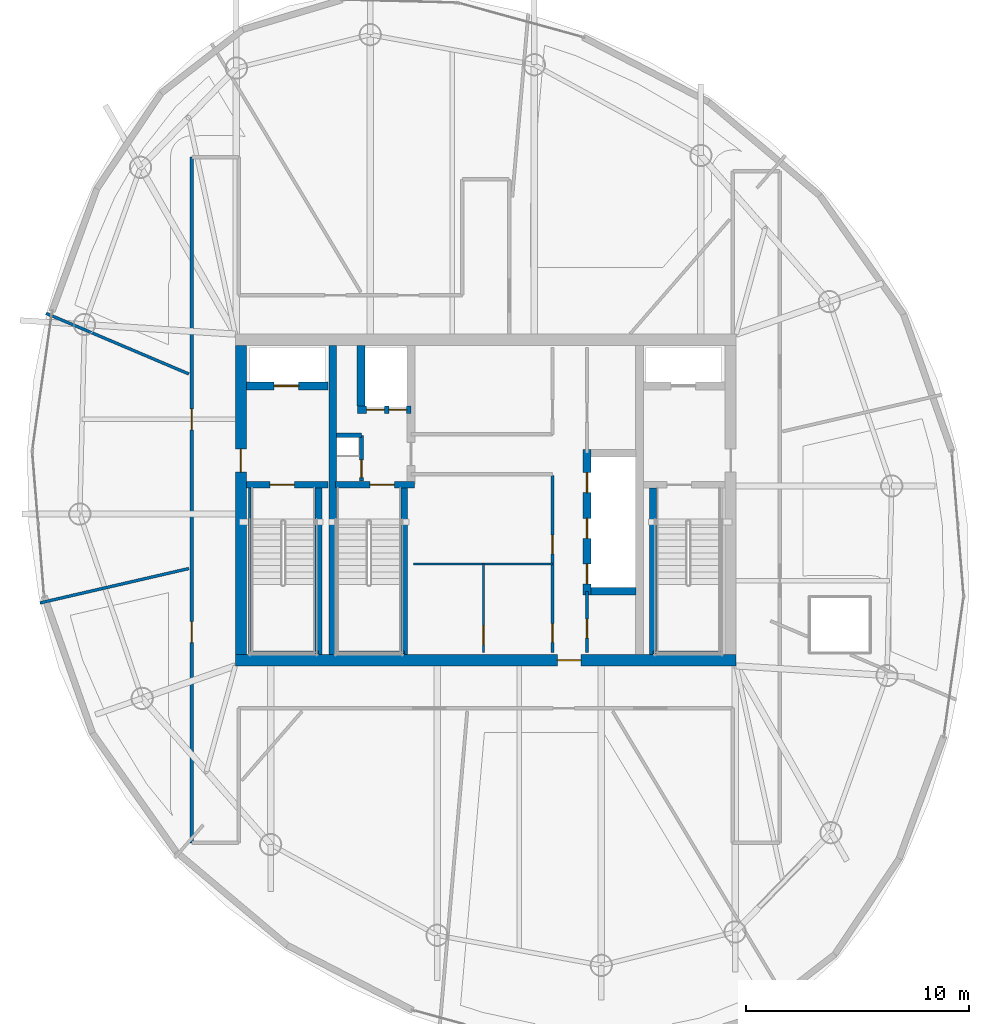
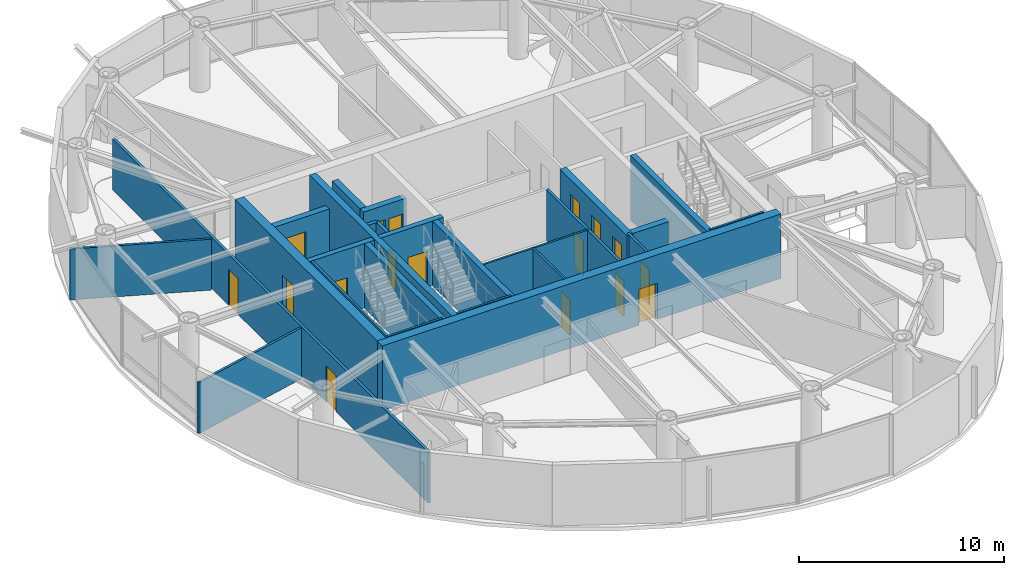
# One storey, part 15 of 20: 26 walls, 17 doors, 17 openings.
"""IFC4 building model written with IfcOpenShell, lengths in metres."""

from ifc_helpers import new_model, si_unit, direction, frame, frame_2d, origin, place, context, subcontext, project, spatial, rectangle, extrude, material, layer, layer_set, type_object, element, fill, save


model = new_model("IFC4")

# Units and contexts
model_context = context("Model", 3, precision=1e-05, world=origin(), true_north=direction((0.0, 1.0)))
body_context = subcontext(model_context, "Body", "Model", "MODEL_VIEW")
ifc_project = project(units=[si_unit("LENGTHUNIT", "METRE"), si_unit("AREAUNIT", "SQUARE_METRE"), si_unit("VOLUMEUNIT", "CUBIC_METRE"), si_unit("PLANEANGLEUNIT", "RADIAN"), si_unit("MASSUNIT", "GRAM", prefix="KILO")], contexts=[model_context])

# Site, building, storey
site_placement = place(None, origin())
site = spatial("IfcSite", under=ifc_project, at=site_placement, CompositionType="ELEMENT")
building_placement = place(site_placement, origin())
building = spatial("IfcBuilding", under=site, at=building_placement, Name="Bramvorn Convention Spire", CompositionType="ELEMENT")
storey_placement = place(building_placement, frame((0.0, 0.0, 284.39990234375)))
storey = spatial("IfcBuildingStorey", under=building, at=storey_placement, Name="L72", CompositionType="ELEMENT", Elevation=284.39990234375)

# Wall, opening, door
ifc_material_1 = material(Name="Concrete C50/60", Category="concrete")
ifc_layer_1 = layer(ifc_material_1, 0.5)
ifc_layer_set_1 = layer_set([ifc_layer_1], Name="Concrete C50/60 - WL-CORE-500")
wall_type_1 = type_object("IfcWallType", Name="WL-CORE-500", PredefinedType="SHEAR", material=ifc_layer_set_1)
wall_1_placement = place(storey_placement, frame((26.75, 18.800048828125, 0.0), z_axis=(0.0, 0.0, 1.0), x_axis=(1.0, 0.0, 0.0)))
wall_1 = element("IfcWall", 1, at=wall_1_placement, inside=storey, type_object=wall_type_1, Name="L72 South RC core shear wall", PredefinedType="SHEAR", context=body_context, shape_type="SweptSolid", body=[
    extrude(rectangle(XDim=22.5, YDim=0.5, at=frame_2d((11.25, 0.0))), origin(), (0.0, 0.0, 1.0), 3.85009765625),
])
opening_1_placement = place(wall_1_placement, frame((14.469970703125, 0.0, 0.0)))
opening_1 = element("IfcOpeningElement", 2, at=opening_1_placement, cuts=wall_1, Name="Opening DL-105", PredefinedType="OPENING", context=body_context, shape_type="SweptSolid", body=[
    extrude(rectangle(XDim=1.050048828125, YDim=2.14990234375, at=frame_2d((0.52490234375, 1.074951171875))), frame((0.0, 0.260009765625, 0.0), z_axis=(0.0, -1.0, 0.0), x_axis=(1.0, 0.0, 0.0)), (0.0, 0.0, 1.0), 0.52001953125),
])
ifc_material_2 = material(Name="Smoke-Sealed Fire Lobby Timber-Core Door", Category="wood")
door_type_1 = type_object("IfcDoorType", Name="DR-LOBBY-1050", OperationType="NOTDEFINED", PredefinedType="DOOR", material=ifc_material_2)
door_1_placement = place(opening_1_placement, origin())
door_1 = element("IfcDoor", 3, at=door_1_placement, inside=storey, type_object=door_type_1, Name="L72 South Lift Lobby fire door", OperationType="SINGLE_SWING_RIGHT", OverallHeight=2.14990234375, OverallWidth=1.050048828125, PredefinedType="DOOR", context=body_context, shape_type="SweptSolid", body=[
    extrude(rectangle(XDim=1.050048828125, YDim=2.14990234375, at=frame_2d((0.52490234375, 1.074951171875))), frame((0.0, 0.02490234375, 0.0), z_axis=(0.0, -1.0, 0.0), x_axis=(1.0, 0.0, 0.0)), (0.0, 0.0, 1.0), 0.050048828125),
])
fill(opening_1, door_1)

wall_2_placement = place(storey_placement, frame((27.0, 19.050048828125, 0.0), z_axis=(0.0, 0.0, 1.0), x_axis=(0.0, 1.0, 0.0)))
wall_2 = element("IfcWall", 4, at=wall_2_placement, inside=storey, type_object=wall_type_1, Name="L72 West RC core shear wall", PredefinedType="SHEAR", context=body_context, shape_type="SweptSolid", body=[
    extrude(rectangle(XDim=13.89990234375, YDim=0.5, at=frame_2d((6.949951171875, 0.0))), origin(), (0.0, 0.0, 1.0), 3.85009765625),
])
opening_2_placement = place(wall_2_placement, frame((8.199951171875, 0.0, 0.0)))
opening_2 = element("IfcOpeningElement", 5, at=opening_2_placement, cuts=wall_2, Name="Opening DL-105", PredefinedType="OPENING", context=body_context, shape_type="SweptSolid", body=[
    extrude(rectangle(XDim=1.050048828125, YDim=2.14990234375, at=frame_2d((0.52490234375, 1.074951171875))), frame((0.0, 0.260009765625, 0.0), z_axis=(0.0, -1.0, 0.0), x_axis=(1.0, 0.0, 0.0)), (0.0, 0.0, 1.0), 0.52001953125),
])
door_2_placement = place(opening_2_placement, origin())
door_2 = element("IfcDoor", 6, at=door_2_placement, inside=storey, type_object=door_type_1, Name="L72 West Firefighting Lobby corridor door", OperationType="SINGLE_SWING_RIGHT", OverallHeight=2.14990234375, OverallWidth=1.050048828125, PredefinedType="DOOR", context=body_context, shape_type="SweptSolid", body=[
    extrude(rectangle(XDim=1.050048828125, YDim=2.14990234375, at=frame_2d((0.52490234375, 1.074951171875))), frame((0.0, 0.02490234375, 0.0), z_axis=(0.0, -1.0, 0.0), x_axis=(1.0, 0.0, 0.0)), (0.0, 0.0, 1.0), 0.050048828125),
])
fill(opening_2, door_2)

# Wall
ifc_layer_2 = layer(ifc_material_1, 0.35009765625)
ifc_layer_set_2 = layer_set([ifc_layer_2], Name="Concrete C50/60 - WL-CORE-INT-350")
wall_type_2 = type_object("IfcWallType", Name="WL-CORE-INT-350", PredefinedType="SHEAR", material=ifc_layer_set_2)
wall_3_placement = place(storey_placement, frame((31.1298828125, 19.050048828125, 0.0), z_axis=(0.0, 0.0, 1.0), x_axis=(0.0, 1.0, 0.0)))
element("IfcWall", 7, at=wall_3_placement, inside=storey, type_object=wall_type_2, Name="L72 West internal core shear web", PredefinedType="SHEAR", context=body_context, shape_type="SweptSolid", body=[
    extrude(rectangle(XDim=13.89990234375, YDim=0.35009765625, at=frame_2d((6.949951171875, 0.0))), origin(), (0.0, 0.0, 1.0), 3.85009765625),
])

# Wall, opening, door
wall_4_placement = place(storey_placement, frame((27.25, 31.1201171875, 0.0), z_axis=(0.0, 0.0, 1.0), x_axis=(1.0, 0.0, 0.0)))
wall_4 = element("IfcWall", 8, at=wall_4_placement, inside=storey, type_object=wall_type_2, Name="L72 FE1 shaft front wall", PredefinedType="SHEAR", context=body_context, shape_type="SweptSolid", body=[
    extrude(rectangle(XDim=3.669921875, YDim=0.35009765625, at=frame_2d((1.8349609375, 0.0))), origin(), (0.0, 0.0, 1.0), 3.0400390625),
])
opening_3_placement = place(wall_4_placement, frame((1.25, 0.0, 0.0)))
opening_3 = element("IfcOpeningElement", 9, at=opening_3_placement, cuts=wall_4, Name="Opening LD-110", PredefinedType="OPENING", context=body_context, shape_type="SweptSolid", body=[
    extrude(rectangle(XDim=1.10009765625, YDim=2.14990234375, at=frame_2d((0.550048828125, 1.074951171875))), frame((0.0, 0.18505859375, 0.0), z_axis=(0.0, -1.0, 0.0), x_axis=(1.0, 0.0, 0.0)), (0.0, 0.0, 1.0), 0.3701171875),
])
ifc_material_3 = material(Name="Firefighting & Service Lift Sliding Landing Door", Category="steel")
door_type_2 = type_object("IfcDoorType", Name="DR-LIFT-LD-1100", OperationType="NOTDEFINED", PredefinedType="DOOR", material=ifc_material_3)
door_3_placement = place(opening_3_placement, origin())
door_3 = element("IfcDoor", 10, at=door_3_placement, inside=storey, type_object=door_type_2, Name="L72 Lift FE1 Sliding Landing Door", OperationType="SLIDING_TO_LEFT", OverallHeight=2.14990234375, OverallWidth=1.10009765625, PredefinedType="DOOR", context=body_context, shape_type="SweptSolid", body=[
    extrude(rectangle(XDim=1.10009765625, YDim=2.14990234375, at=frame_2d((0.550048828125, 1.074951171875))), frame((0.0, 0.02490234375, 0.0), z_axis=(0.0, -1.0, 0.0), x_axis=(1.0, 0.0, 0.0)), (0.0, 0.0, 1.0), 0.050048828125),
])
fill(opening_3, door_3)

# Wall, openings, doors
wall_5_placement = place(storey_placement, frame((32.22998046875, 30.050048828125, 0.0), z_axis=(0.0, 0.0, 1.0), x_axis=(1.0, 0.0, 0.0)))
wall_5 = element("IfcWall", 11, at=wall_5_placement, inside=storey, type_object=wall_type_2, Name="L72 SV1/SV2 shaft front wall", PredefinedType="SHEAR", context=body_context, shape_type="SweptSolid", body=[
    extrude(rectangle(XDim=2.409912109375, YDim=0.35009765625, at=frame_2d((1.205078125, 0.0))), origin(), (0.0, 0.0, 1.0), 3.0400390625),
])
opening_4_placement = place(wall_5_placement, frame((0.419921875, 0.0, 0.0)))
opening_4 = element("IfcOpeningElement", 12, at=opening_4_placement, cuts=wall_5, Name="Opening LD-080", PredefinedType="OPENING", context=body_context, shape_type="SweptSolid", body=[
    extrude(rectangle(XDim=0.800048828125, YDim=2.14990234375, at=frame_2d((0.39990234375, 1.074951171875))), frame((0.0, 0.18505859375, 0.0), z_axis=(0.0, -1.0, 0.0), x_axis=(1.0, 0.0, 0.0)), (0.0, 0.0, 1.0), 0.3701171875),
])
opening_5_placement = place(wall_5_placement, frame((1.419921875, 0.0, 0.0)))
opening_5 = element("IfcOpeningElement", 13, at=opening_5_placement, cuts=wall_5, Name="Opening LD-080", PredefinedType="OPENING", context=body_context, shape_type="SweptSolid", body=[
    extrude(rectangle(XDim=0.800048828125, YDim=2.14990234375, at=frame_2d((0.39990234375, 1.074951171875))), frame((0.0, 0.18505859375, 0.0), z_axis=(0.0, -1.0, 0.0), x_axis=(1.0, 0.0, 0.0)), (0.0, 0.0, 1.0), 0.3701171875),
])
ifc_material_4 = material(Name="Service Lift Bi-Parting Landing Door", Category="steel")
door_type_3 = type_object("IfcDoorType", Name="DR-LIFT-LD-800", OperationType="NOTDEFINED", PredefinedType="DOOR", material=ifc_material_4)
door_4_placement = place(opening_4_placement, origin())
door_4 = element("IfcDoor", 14, at=door_4_placement, inside=storey, type_object=door_type_3, Name="L72 Lift SV1 Sliding Landing Door", OperationType="SLIDING_TO_LEFT", OverallHeight=2.14990234375, OverallWidth=0.800048828125, PredefinedType="DOOR", context=body_context, shape_type="SweptSolid", body=[
    extrude(rectangle(XDim=0.800048828125, YDim=2.14990234375, at=frame_2d((0.39990234375, 1.074951171875))), frame((0.0, 0.02490234375, 0.0), z_axis=(0.0, -1.0, 0.0), x_axis=(1.0, 0.0, 0.0)), (0.0, 0.0, 1.0), 0.050048828125),
])
fill(opening_4, door_4)
door_5_placement = place(opening_5_placement, origin())
door_5 = element("IfcDoor", 15, at=door_5_placement, inside=storey, type_object=door_type_3, Name="L72 Lift SV2 Sliding Landing Door", OperationType="SLIDING_TO_LEFT", OverallHeight=2.14990234375, OverallWidth=0.800048828125, PredefinedType="DOOR", context=body_context, shape_type="SweptSolid", body=[
    extrude(rectangle(XDim=0.800048828125, YDim=2.14990234375, at=frame_2d((0.39990234375, 1.074951171875))), frame((0.0, 0.02490234375, 0.0), z_axis=(0.0, -1.0, 0.0), x_axis=(1.0, 0.0, 0.0)), (0.0, 0.0, 1.0), 0.050048828125),
])
fill(opening_5, door_5)

# Wall
wall_6_placement = place(storey_placement, frame((32.39990234375, 30.219970703125, 0.0), z_axis=(0.0, 0.0, 1.0), x_axis=(0.0, 1.0, 0.0)))
element("IfcWall", 16, at=wall_6_placement, inside=storey, type_object=wall_type_2, Name="L72 SV1 west hoistway wall", PredefinedType="SHEAR", context=body_context, shape_type="SweptSolid", body=[
    extrude(rectangle(XDim=2.72998046875, YDim=0.35009765625, at=frame_2d((1.364990234375, 0.0))), origin(), (0.0, 0.0, 1.0), 3.0400390625),
])

# Wall, openings, doors
wall_7_placement = place(storey_placement, frame((42.550048828125, 21.72998046875, 0.0), z_axis=(0.0, 0.0, 1.0), x_axis=(0.0, 1.0, 0.0)))
wall_7 = element("IfcWall", 17, at=wall_7_placement, inside=storey, type_object=wall_type_2, Name="L72 High-rise lift bank west wall", PredefinedType="SHEAR", context=body_context, shape_type="SweptSolid", body=[
    extrude(rectangle(XDim=6.5400390625, YDim=0.35009765625, at=frame_2d((3.27001953125, 0.0))), origin(), (0.0, 0.0, 1.0), 3.0400390625),
])
opening_6_placement = place(wall_7_placement, frame((0.5, 0.0, 0.0)))
opening_6 = element("IfcOpeningElement", 18, at=opening_6_placement, cuts=wall_7, Name="Opening LD-090", PredefinedType="OPENING", context=body_context, shape_type="SweptSolid", body=[
    extrude(rectangle(XDim=0.89990234375, YDim=2.14990234375, at=frame_2d((0.449951171875, 1.074951171875))), frame((0.0, 0.18505859375, 0.0), z_axis=(0.0, -1.0, 0.0), x_axis=(1.0, 0.0, 0.0)), (0.0, 0.0, 1.0), 0.3701171875),
])
opening_7_placement = place(wall_7_placement, frame((2.550048828125, 0.0, 0.0)))
opening_7 = element("IfcOpeningElement", 19, at=opening_7_placement, cuts=wall_7, Name="Opening LD-090", PredefinedType="OPENING", context=body_context, shape_type="SweptSolid", body=[
    extrude(rectangle(XDim=0.89990234375, YDim=2.14990234375, at=frame_2d((0.449951171875, 1.074951171875))), frame((0.0, 0.18505859375, 0.0), z_axis=(0.0, -1.0, 0.0), x_axis=(1.0, 0.0, 0.0)), (0.0, 0.0, 1.0), 0.3701171875),
])
opening_8_placement = place(wall_7_placement, frame((4.60009765625, 0.0, 0.0)))
opening_8 = element("IfcOpeningElement", 20, at=opening_8_placement, cuts=wall_7, Name="Opening LD-090", PredefinedType="OPENING", context=body_context, shape_type="SweptSolid", body=[
    extrude(rectangle(XDim=0.89990234375, YDim=2.14990234375, at=frame_2d((0.449951171875, 1.074951171875))), frame((0.0, 0.18505859375, 0.0), z_axis=(0.0, -1.0, 0.0), x_axis=(1.0, 0.0, 0.0)), (0.0, 0.0, 1.0), 0.3701171875),
])
ifc_material_5 = material(Name="Bi-Parting Fire-Rated Lift Landing Door", Category="steel")
door_type_4 = type_object("IfcDoorType", Name="DR-LIFT-LD-900", OperationType="NOTDEFINED", PredefinedType="DOOR", material=ifc_material_5)
door_6_placement = place(opening_6_placement, origin())
door_6 = element("IfcDoor", 21, at=door_6_placement, inside=storey, type_object=door_type_4, Name="L72 Lift PH1 Sliding Landing Door", OperationType="SLIDING_TO_LEFT", OverallHeight=2.14990234375, OverallWidth=0.89990234375, PredefinedType="DOOR", context=body_context, shape_type="SweptSolid", body=[
    extrude(rectangle(XDim=0.89990234375, YDim=2.14990234375, at=frame_2d((0.449951171875, 1.074951171875))), frame((0.0, 0.02490234375, 0.0), z_axis=(0.0, -1.0, 0.0), x_axis=(1.0, 0.0, 0.0)), (0.0, 0.0, 1.0), 0.050048828125),
])
fill(opening_6, door_6)
door_7_placement = place(opening_7_placement, origin())
door_7 = element("IfcDoor", 22, at=door_7_placement, inside=storey, type_object=door_type_4, Name="L72 Lift PH2 Sliding Landing Door", OperationType="SLIDING_TO_LEFT", OverallHeight=2.14990234375, OverallWidth=0.89990234375, PredefinedType="DOOR", context=body_context, shape_type="SweptSolid", body=[
    extrude(rectangle(XDim=0.89990234375, YDim=2.14990234375, at=frame_2d((0.449951171875, 1.074951171875))), frame((0.0, 0.02490234375, 0.0), z_axis=(0.0, -1.0, 0.0), x_axis=(1.0, 0.0, 0.0)), (0.0, 0.0, 1.0), 0.050048828125),
])
fill(opening_7, door_7)
door_8_placement = place(opening_8_placement, origin())
door_8 = element("IfcDoor", 23, at=door_8_placement, inside=storey, type_object=door_type_4, Name="L72 Lift PH3 Sliding Landing Door", OperationType="SLIDING_TO_LEFT", OverallHeight=2.14990234375, OverallWidth=0.89990234375, PredefinedType="DOOR", context=body_context, shape_type="SweptSolid", body=[
    extrude(rectangle(XDim=0.89990234375, YDim=2.14990234375, at=frame_2d((0.449951171875, 1.074951171875))), frame((0.0, 0.02490234375, 0.0), z_axis=(0.0, -1.0, 0.0), x_axis=(1.0, 0.0, 0.0)), (0.0, 0.0, 1.0), 0.050048828125),
])
fill(opening_8, door_8)

# Walls
wall_8_placement = place(storey_placement, frame((42.719970703125, 21.89990234375, 0.0), z_axis=(0.0, 0.0, 1.0), x_axis=(1.0, 0.0, 0.0)))
element("IfcWall", 24, at=wall_8_placement, inside=storey, type_object=wall_type_2, Name="L72 High-rise lift bank south wall", PredefinedType="SHEAR", context=body_context, shape_type="SweptSolid", body=[
    extrude(rectangle(XDim=2.030029296875, YDim=0.35009765625, at=frame_2d((1.01513671875, 0.0))), origin(), (0.0, 0.0, 1.0), 3.0400390625),
])
ifc_material_6 = material(Name="Lightweight En-Suite & Wet-Wall Partition", Category="gypsum")
ifc_layer_3 = layer(ifc_material_6, 0.110107421875)
ifc_layer_set_3 = layer_set([ifc_layer_3], Name="Lightweight En-Suite & Wet-Wall Partition - WL-PART-110")
wall_type_3 = type_object("IfcWallType", Name="WL-PART-110", PredefinedType="PARTITIONING", material=ifc_layer_set_3)
wall_9_placement = place(storey_placement, frame((34.75, 23.125, 0.0), z_axis=(0.0, 0.0, 1.0), x_axis=(1.0, 0.0, 0.0)))
element("IfcWall", 25, at=wall_9_placement, inside=storey, type_object=wall_type_3, Name="L72 KA horizontal core divider", PredefinedType="PARTITIONING", context=body_context, shape_type="SweptSolid", body=[
    extrude(rectangle(XDim=6.25, YDim=0.110107421875, at=frame_2d((3.125, 0.0))), origin(), (0.0, 0.0, 1.0), 3.0400390625),
])

# Wall, opening, door
wall_10_placement = place(storey_placement, frame((37.89990234375, 19.14990234375, 0.0), z_axis=(0.0, 0.0, 1.0), x_axis=(0.0, 1.0, 0.0)))
wall_10 = element("IfcWall", 26, at=wall_10_placement, inside=storey, type_object=wall_type_3, Name="L72 KA restroom subwall", PredefinedType="PARTITIONING", context=body_context, shape_type="SweptSolid", body=[
    extrude(rectangle(XDim=3.97509765625, YDim=0.110107421875, at=frame_2d((1.987548828125, 0.0))), origin(), (0.0, 0.0, 1.0), 3.0400390625),
])
opening_9_placement = place(wall_10_placement, frame((0.35009765625, 0.0, 0.0)))
opening_9 = element("IfcOpeningElement", 27, at=opening_9_placement, cuts=wall_10, Name="Opening DC-085", PredefinedType="OPENING", context=body_context, shape_type="SweptSolid", body=[
    extrude(rectangle(XDim=0.85009765625, YDim=2.10009765625, at=frame_2d((0.425048828125, 1.050048828125))), frame((0.0, 0.06494140625, 0.0), z_axis=(0.0, -1.0, 0.0), x_axis=(1.0, 0.0, 0.0)), (0.0, 0.0, 1.0), 0.130126953125),
])
ifc_material_7 = material(Name="Fire-Rated Core Washroom & IDF Door", Category="wood")
door_type_5 = type_object("IfcDoorType", Name="DR-CORE-850", OperationType="NOTDEFINED", PredefinedType="DOOR", material=ifc_material_7)
door_9_placement = place(opening_9_placement, origin())
door_9 = element("IfcDoor", 28, at=door_9_placement, inside=storey, type_object=door_type_5, Name="L72 Core IT Closet door", OperationType="SINGLE_SWING_LEFT", OverallHeight=2.10009765625, OverallWidth=0.85009765625, PredefinedType="DOOR", context=body_context, shape_type="SweptSolid", body=[
    extrude(rectangle(XDim=0.85009765625, YDim=2.10009765625, at=frame_2d((0.425048828125, 1.050048828125))), frame((0.0, 0.02490234375, 0.0), z_axis=(0.0, -1.0, 0.0), x_axis=(1.0, 0.0, 0.0)), (0.0, 0.0, 1.0), 0.050048828125),
])
fill(opening_9, door_9)

ifc_material_8 = material(Name="Metal-Stud Demountable Office Partition", Category="gypsum")
ifc_layer_4 = layer(ifc_material_8, 0.1298828125)
ifc_layer_set_4 = layer_set([ifc_layer_4], Name="Metal-Stud Demountable Office Partition - WL-PART-130")
wall_type_4 = type_object("IfcWallType", Name="WL-PART-130", PredefinedType="PARTITIONING", material=ifc_layer_set_4)
wall_11_placement = place(storey_placement, frame((42.550048828125, 19.14990234375, 0.0), z_axis=(0.0, 0.0, 1.0), x_axis=(0.0, 1.0, 0.0)))
wall_11 = element("IfcWall", 29, at=wall_11_placement, inside=storey, type_object=wall_type_4, Name="L72 KA SE store wall", PredefinedType="PARTITIONING", context=body_context, shape_type="SweptSolid", body=[
    extrude(rectangle(XDim=2.75, YDim=0.1298828125, at=frame_2d((1.375, 0.0))), origin(), (0.0, 0.0, 1.0), 3.0400390625),
])
opening_10_placement = place(wall_11_placement, frame((0.64990234375, 0.0, 0.0)))
opening_10 = element("IfcOpeningElement", 30, at=opening_10_placement, cuts=wall_11, Name="Opening DC-085", PredefinedType="OPENING", context=body_context, shape_type="SweptSolid", body=[
    extrude(rectangle(XDim=0.85009765625, YDim=2.10009765625, at=frame_2d((0.425048828125, 1.050048828125))), frame((0.0, 0.074951171875, 0.0), z_axis=(0.0, -1.0, 0.0), x_axis=(1.0, 0.0, 0.0)), (0.0, 0.0, 1.0), 0.14990234375),
])
door_10_placement = place(opening_10_placement, origin())
door_10 = element("IfcDoor", 31, at=door_10_placement, inside=storey, type_object=door_type_5, Name="L72 Tenant Pantry & Copy Centre door", OperationType="SINGLE_SWING_LEFT", OverallHeight=2.10009765625, OverallWidth=0.85009765625, PredefinedType="DOOR", context=body_context, shape_type="SweptSolid", body=[
    extrude(rectangle(XDim=0.85009765625, YDim=2.10009765625, at=frame_2d((0.425048828125, 1.050048828125))), frame((0.0, 0.02490234375, 0.0), z_axis=(0.0, -1.0, 0.0), x_axis=(1.0, 0.0, 0.0)), (0.0, 0.0, 1.0), 0.050048828125),
])
fill(opening_10, door_10)

# Walls
wall_12_placement = place(storey_placement, frame((24.659912109375, 31.66259765625, 0.0), z_axis=(0.0, 0.0, 1.0), x_axis=(-0.920499996924, 0.390742569557, 0.0)))
element("IfcWall", 32, at=wall_12_placement, inside=storey, type_object=wall_type_4, Name="L72 Tenant suite partition 5", PredefinedType="PARTITIONING", context=body_context, shape_type="SweptSolid", body=[
    extrude(rectangle(XDim=6.961669921875, YDim=0.1298828125, at=frame_2d((3.48095703125, 0.0))), origin(), (0.0, 0.0, 1.0), 3.0400390625),
])
wall_13_placement = place(storey_placement, frame((24.659912109375, 22.920166015625, 0.0), z_axis=(0.0, 0.0, 1.0), x_axis=(-0.974373199784, -0.224937474739, 0.0)))
element("IfcWall", 33, at=wall_13_placement, inside=storey, type_object=wall_type_4, Name="L72 Tenant suite partition 6", PredefinedType="PARTITIONING", context=body_context, shape_type="SweptSolid", body=[
    extrude(rectangle(XDim=6.860595703125, YDim=0.1298828125, at=frame_2d((3.43017578125, 0.0))), origin(), (0.0, 0.0, 1.0), 3.0400390625),
])

# Wall, openings, doors
ifc_material_9 = material(Name="Acoustic Metal-Stud Tenant/Corridor Partition", Category="gypsum")
ifc_layer_5 = layer(ifc_material_9, 0.14990234375)
ifc_layer_set_5 = layer_set([ifc_layer_5], Name="Acoustic Metal-Stud Tenant/Corridor Partition - WL-PART-150")
wall_type_5 = type_object("IfcWallType", Name="WL-PART-150", PredefinedType="PARTITIONING", material=ifc_layer_set_5)
wall_14_placement = place(storey_placement, frame((41.0, 19.14990234375, 0.0), z_axis=(0.0, 0.0, 1.0), x_axis=(0.0, 1.0, 0.0)))
wall_14 = element("IfcWall", 34, at=wall_14_placement, inside=storey, type_object=wall_type_5, Name="L72 KA east core wall", PredefinedType="PARTITIONING", context=body_context, shape_type="SweptSolid", body=[
    extrude(rectangle(XDim=7.9501953125, YDim=0.14990234375, at=frame_2d((3.97509765625, 0.0))), origin(), (0.0, 0.0, 1.0), 3.0400390625),
])
opening_11_placement = place(wall_14_placement, frame((4.425048828125, 0.0, 0.0)))
opening_11 = element("IfcOpeningElement", 35, at=opening_11_placement, cuts=wall_14, Name="Opening DC-085", PredefinedType="OPENING", context=body_context, shape_type="SweptSolid", body=[
    extrude(rectangle(XDim=0.85009765625, YDim=2.10009765625, at=frame_2d((0.425048828125, 1.050048828125))), frame((0.0, 0.0849609375, 0.0), z_axis=(0.0, -1.0, 0.0), x_axis=(1.0, 0.0, 0.0)), (0.0, 0.0, 1.0), 0.169921875),
])
opening_12_placement = place(wall_14_placement, frame((0.449951171875, 0.0, 0.0)))
opening_12 = element("IfcOpeningElement", 36, at=opening_12_placement, cuts=wall_14, Name="Opening DC-085", PredefinedType="OPENING", context=body_context, shape_type="SweptSolid", body=[
    extrude(rectangle(XDim=0.85009765625, YDim=2.10009765625, at=frame_2d((0.425048828125, 1.050048828125))), frame((0.0, 0.0849609375, 0.0), z_axis=(0.0, -1.0, 0.0), x_axis=(1.0, 0.0, 0.0)), (0.0, 0.0, 1.0), 0.169921875),
])
door_11_placement = place(opening_11_placement, origin())
door_11 = element("IfcDoor", 37, at=door_11_placement, inside=storey, type_object=door_type_5, Name="L72 Core Linen & Equipment Store door", OperationType="SINGLE_SWING_LEFT", OverallHeight=2.10009765625, OverallWidth=0.85009765625, PredefinedType="DOOR", context=body_context, shape_type="SweptSolid", body=[
    extrude(rectangle(XDim=0.85009765625, YDim=2.10009765625, at=frame_2d((0.425048828125, 1.050048828125))), frame((0.0, 0.02490234375, 0.0), z_axis=(0.0, -1.0, 0.0), x_axis=(1.0, 0.0, 0.0)), (0.0, 0.0, 1.0), 0.050048828125),
])
fill(opening_11, door_11)
door_12_placement = place(opening_12_placement, origin())
door_12 = element("IfcDoor", 38, at=door_12_placement, inside=storey, type_object=door_type_5, Name="L72 Accessible Core Restroom door", OperationType="SINGLE_SWING_LEFT", OverallHeight=2.10009765625, OverallWidth=0.85009765625, PredefinedType="DOOR", context=body_context, shape_type="SweptSolid", body=[
    extrude(rectangle(XDim=0.85009765625, YDim=2.10009765625, at=frame_2d((0.425048828125, 1.050048828125))), frame((0.0, 0.02490234375, 0.0), z_axis=(0.0, -1.0, 0.0), x_axis=(1.0, 0.0, 0.0)), (0.0, 0.0, 1.0), 0.050048828125),
])
fill(opening_12, door_12)

wall_15_placement = place(storey_placement, frame((24.800048828125, 10.60009765625, 0.0), z_axis=(0.0, 0.0, 1.0), x_axis=(0.0, 1.0, 0.0)))
wall_15 = element("IfcWall", 39, at=wall_15_placement, inside=storey, type_object=wall_type_5, Name="L72 West N-S gallery outer wall", PredefinedType="PARTITIONING", context=body_context, shape_type="SweptSolid", body=[
    extrude(rectangle(XDim=30.7998046875, YDim=0.14990234375, at=frame_2d((15.39990234375, 0.0))), origin(), (0.0, 0.0, 1.0), 3.0400390625),
])
opening_13_placement = place(wall_15_placement, frame((18.545166015625, 0.0, 0.0)))
opening_13 = element("IfcOpeningElement", 40, at=opening_13_placement, cuts=wall_15, Name="Opening DH-095", PredefinedType="OPENING", context=body_context, shape_type="SweptSolid", body=[
    extrude(rectangle(XDim=0.949951171875, YDim=2.14990234375, at=frame_2d((0.47509765625, 1.074951171875))), frame((0.0, 0.0849609375, 0.0), z_axis=(0.0, -1.0, 0.0), x_axis=(1.0, 0.0, 0.0)), (0.0, 0.0, 1.0), 0.169921875),
])
opening_14_placement = place(wall_15_placement, frame((8.990966796875, 0.0, 0.0)))
opening_14 = element("IfcOpeningElement", 41, at=opening_14_placement, cuts=wall_15, Name="Opening DH-095", PredefinedType="OPENING", context=body_context, shape_type="SweptSolid", body=[
    extrude(rectangle(XDim=0.949951171875, YDim=2.14990234375, at=frame_2d((0.47509765625, 1.074951171875))), frame((0.0, 0.0849609375, 0.0), z_axis=(0.0, -1.0, 0.0), x_axis=(1.0, 0.0, 0.0)), (0.0, 0.0, 1.0), 0.169921875),
])
ifc_material_10 = material(Name="Solid-Core Acoustic Guestroom Entry Door", Category="wood")
door_type_6 = type_object("IfcDoorType", Name="DR-HOTEL-950", OperationType="NOTDEFINED", PredefinedType="DOOR", material=ifc_material_10)
door_13_placement = place(opening_13_placement, origin())
door_13 = element("IfcDoor", 42, at=door_13_placement, inside=storey, type_object=door_type_6, Name="L72 Materials Library Store 5 door", OperationType="SINGLE_SWING_LEFT", OverallHeight=2.14990234375, OverallWidth=0.949951171875, PredefinedType="DOOR", context=body_context, shape_type="SweptSolid", body=[
    extrude(rectangle(XDim=0.949951171875, YDim=2.14990234375, at=frame_2d((0.47509765625, 1.074951171875))), frame((0.0, 0.02490234375, 0.0), z_axis=(0.0, -1.0, 0.0), x_axis=(1.0, 0.0, 0.0)), (0.0, 0.0, 1.0), 0.050048828125),
])
fill(opening_13, door_13)
door_14_placement = place(opening_14_placement, origin())
door_14 = element("IfcDoor", 43, at=door_14_placement, inside=storey, type_object=door_type_6, Name="L72 Studio Espresso Kitchen 6 door", OperationType="SINGLE_SWING_LEFT", OverallHeight=2.14990234375, OverallWidth=0.949951171875, PredefinedType="DOOR", context=body_context, shape_type="SweptSolid", body=[
    extrude(rectangle(XDim=0.949951171875, YDim=2.14990234375, at=frame_2d((0.47509765625, 1.074951171875))), frame((0.0, 0.02490234375, 0.0), z_axis=(0.0, -1.0, 0.0), x_axis=(1.0, 0.0, 0.0)), (0.0, 0.0, 1.0), 0.050048828125),
])
fill(opening_14, door_14)

# Wall, opening, door
ifc_material_11 = material(Name="Gypsum Shaftwall & Rockwool Core Partition", Category="gypsum")
ifc_layer_6 = layer(ifc_material_11, 0.199951171875)
ifc_layer_set_6 = layer_set([ifc_layer_6], Name="Gypsum Shaftwall & Rockwool Core Partition - WL-PART-200-FR")
wall_type_6 = type_object("IfcWallType", Name="WL-PART-200-FR", PredefinedType="PARTITIONING", material=ifc_layer_set_6)
wall_16_placement = place(storey_placement, frame((32.419921875, 26.860107421875, 0.0), z_axis=(0.0, 0.0, 1.0), x_axis=(0.0, 1.0, 0.0)))
wall_16 = element("IfcWall", 44, at=wall_16_placement, inside=storey, type_object=wall_type_6, Name="L72 Telecom riser east wall", PredefinedType="PARTITIONING", context=body_context, shape_type="SweptSolid", body=[
    extrude(rectangle(XDim=2.039794921875, YDim=0.199951171875, at=frame_2d((1.02001953125, 0.0))), origin(), (0.0, 0.0, 1.0), 3.0400390625),
])
opening_15_placement = place(wall_16_placement, frame((0.139892578125, 0.0, 0.0)))
opening_15 = element("IfcOpeningElement", 45, at=opening_15_placement, cuts=wall_16, Name="Opening DR-080", PredefinedType="OPENING", context=body_context, shape_type="SweptSolid", body=[
    extrude(rectangle(XDim=0.800048828125, YDim=2.050048828125, at=frame_2d((0.39990234375, 1.02490234375))), frame((0.0, 0.10986328125, 0.0), z_axis=(0.0, -1.0, 0.0), x_axis=(1.0, 0.0, 0.0)), (0.0, 0.0, 1.0), 0.219970703125),
])
ifc_material_12 = material(Name="Flush Steel Riser Access Door", Category="steel")
door_type_7 = type_object("IfcDoorType", Name="DR-RISER-800", OperationType="NOTDEFINED", PredefinedType="DOOR", material=ifc_material_12)
door_15_placement = place(opening_15_placement, origin())
door_15 = element("IfcDoor", 46, at=door_15_placement, inside=storey, type_object=door_type_7, Name="L72 Telecom riser access door", OperationType="SINGLE_SWING_RIGHT", OverallHeight=2.050048828125, OverallWidth=0.800048828125, PredefinedType="DOOR", context=body_context, shape_type="SweptSolid", body=[
    extrude(rectangle(XDim=0.800048828125, YDim=2.050048828125, at=frame_2d((0.39990234375, 1.02490234375))), frame((0.0, 0.02490234375, 0.0), z_axis=(0.0, -1.0, 0.0), x_axis=(1.0, 0.0, 0.0)), (0.0, 0.0, 1.0), 0.050048828125),
])
fill(opening_15, door_15)

# Wall
wall_17_placement = place(storey_placement, frame((31.300048828125, 28.89990234375, 0.0), z_axis=(0.0, 0.0, 1.0), x_axis=(1.0, 0.0, 0.0)))
element("IfcWall", 47, at=wall_17_placement, inside=storey, type_object=wall_type_6, Name="L72 Telecom riser north wall", PredefinedType="PARTITIONING", context=body_context, shape_type="SweptSolid", body=[
    extrude(rectangle(XDim=1.119873046875, YDim=0.199951171875, at=frame_2d((0.56005859375, 0.0))), origin(), (0.0, 0.0, 1.0), 3.0400390625),
])

# Wall, opening, door
ifc_layer_7 = layer(ifc_material_1, 0.300048828125)
ifc_layer_set_7 = layer_set([ifc_layer_7], Name="Concrete C50/60 - WL-POD-STAIR-300")
wall_type_7 = type_object("IfcWallType", Name="WL-POD-STAIR-300", PredefinedType="SHEAR", material=ifc_layer_set_7)
wall_18_placement = place(storey_placement, frame((27.25, 26.68994140625, 0.0), z_axis=(0.0, 0.0, 1.0), x_axis=(1.0, 0.0, 0.0)))
wall_18 = element("IfcWall", 48, at=wall_18_placement, inside=storey, type_object=wall_type_7, Name="L72 ST1 north fire wall", PredefinedType="SHEAR", context=body_context, shape_type="SweptSolid", body=[
    extrude(rectangle(XDim=3.669921875, YDim=0.300048828125, at=frame_2d((1.8349609375, 0.0))), origin(), (0.0, 0.0, 1.0), 3.85009765625),
])
opening_16_placement = place(wall_18_placement, frame((1.050048828125, 0.0, 0.0)))
opening_16 = element("IfcOpeningElement", 49, at=opening_16_placement, cuts=wall_18, Name="Opening DS-110", PredefinedType="OPENING", context=body_context, shape_type="SweptSolid", body=[
    extrude(rectangle(XDim=1.10009765625, YDim=2.14990234375, at=frame_2d((0.550048828125, 1.074951171875))), frame((0.0, 0.159912109375, 0.0), z_axis=(0.0, -1.0, 0.0), x_axis=(1.0, 0.0, 0.0)), (0.0, 0.0, 1.0), 0.320068359375),
])
ifc_material_13 = material(Name="Fire-Rated Hollow Steel Stairwell Door", Category="steel")
door_type_8 = type_object("IfcDoorType", Name="DR-STAIR-1100", OperationType="NOTDEFINED", PredefinedType="DOOR", material=ifc_material_13)
door_16_placement = place(opening_16_placement, origin())
door_16 = element("IfcDoor", 50, at=door_16_placement, inside=storey, type_object=door_type_8, Name="L72 Stair ST1 fire door", OperationType="SINGLE_SWING_LEFT", OverallHeight=2.14990234375, OverallWidth=1.10009765625, PredefinedType="DOOR", context=body_context, shape_type="SweptSolid", body=[
    extrude(rectangle(XDim=1.10009765625, YDim=2.14990234375, at=frame_2d((0.550048828125, 1.074951171875))), frame((0.0, 0.02490234375, 0.0), z_axis=(0.0, -1.0, 0.0), x_axis=(1.0, 0.0, 0.0)), (0.0, 0.0, 1.0), 0.050048828125),
])
fill(opening_16, door_16)

# Walls
for number, where, z_axis, x_axis, name in (
    (51, (30.489990234375, 19.050048828125, 0.0), (0.0, 0.0, 1.0), (0.0, 1.0, 0.0), "L72 ST1 east bearing wall"),
    (52, (45.510009765625, 19.050048828125, 0.0), (0.0, 0.0, 1.0), (0.0, 1.0, 0.0), "L72 ST2 west bearing wall"),
    (53, (34.340087890625, 19.050048828125, 0.0), (0.0, 0.0, 1.0), (0.0, 1.0, 0.0), "L72 ST3 east bearing wall"),
):
    element("IfcWall", number, at=place(storey_placement, frame(where, z_axis=z_axis, x_axis=x_axis)), inside=storey, type_object=wall_type_7, Name=name, PredefinedType="SHEAR", context=body_context, shape_type="SweptSolid", body=[
        extrude(rectangle(XDim=7.5, YDim=0.300048828125, at=frame_2d((3.75, 0.0))), origin(), (0.0, 0.0, 1.0), 3.85009765625),
    ])

# Wall, opening, door
wall_19_placement = place(storey_placement, frame((31.25, 26.68994140625, 0.0), z_axis=(0.0, 0.0, 1.0), x_axis=(1.0, 0.0, 0.0)))
wall_19 = element("IfcWall", 54, at=wall_19_placement, inside=storey, type_object=wall_type_7, Name="L72 ST3 north lobby wall", PredefinedType="SHEAR", context=body_context, shape_type="SweptSolid", body=[
    extrude(rectangle(XDim=3.56005859375, YDim=0.300048828125, at=frame_2d((1.780029296875, 0.0))), origin(), (0.0, 0.0, 1.0), 3.85009765625),
])
opening_17_placement = place(wall_19_placement, frame((1.550048828125, 0.0, 0.0)))
opening_17 = element("IfcOpeningElement", 55, at=opening_17_placement, cuts=wall_19, Name="Opening DS-110", PredefinedType="OPENING", context=body_context, shape_type="SweptSolid", body=[
    extrude(rectangle(XDim=1.10009765625, YDim=2.14990234375, at=frame_2d((0.550048828125, 1.074951171875))), frame((0.0, 0.159912109375, 0.0), z_axis=(0.0, -1.0, 0.0), x_axis=(1.0, 0.0, 0.0)), (0.0, 0.0, 1.0), 0.320068359375),
])
door_17_placement = place(opening_17_placement, origin())
door_17 = element("IfcDoor", 56, at=door_17_placement, inside=storey, type_object=door_type_8, Name="L72 Stair ST3 fire door", OperationType="SINGLE_SWING_LEFT", OverallHeight=2.14990234375, OverallWidth=1.10009765625, PredefinedType="DOOR", context=body_context, shape_type="SweptSolid", body=[
    extrude(rectangle(XDim=1.10009765625, YDim=2.14990234375, at=frame_2d((0.550048828125, 1.074951171875))), frame((0.0, 0.02490234375, 0.0), z_axis=(0.0, -1.0, 0.0), x_axis=(1.0, 0.0, 0.0)), (0.0, 0.0, 1.0), 0.050048828125),
])
fill(opening_17, door_17)

# Walls
ifc_layer_8 = layer(ifc_material_1, 0.1201171875)
ifc_layer_set_8 = layer_set([ifc_layer_8], Name="Concrete C50/60 - WL-STAIR-RC-120")
wall_type_8 = type_object("IfcWallType", Name="WL-STAIR-RC-120", PredefinedType="SHEAR", material=ifc_layer_set_8)
wall_20_placement = place(storey_placement, frame((27.39501953125, 19.10009765625, 0.0), z_axis=(0.0, 0.0, 1.0), x_axis=(0.0, 1.0, 0.0)))
element("IfcWall", 57, at=wall_20_placement, inside=storey, type_object=wall_type_8, Name="L72 ST1 west bearing shear wall", PredefinedType="SHEAR", context=body_context, shape_type="SweptSolid", body=[
    extrude(rectangle(XDim=7.449951171875, YDim=0.1201171875, at=frame_2d((3.72509765625, 0.0))), origin(), (0.0, 0.0, 1.0), 3.85009765625),
])
for number, where, z_axis, x_axis, name in (
    (58, (27.39501953125, 19.159912109375, 0.0), (0.0, 0.0, 1.0), (1.0, 0.0, 0.0), "L72 ST1 south bearing shear wall"),
    (59, (45.510009765625, 19.159912109375, 0.0), (0.0, 0.0, 1.0), (1.0, 0.0, 0.0), "L72 ST2 south bearing shear wall"),
):
    element("IfcWall", number, at=place(storey_placement, frame(where, z_axis=z_axis, x_axis=x_axis)), inside=storey, type_object=wall_type_8, Name=name, PredefinedType="SHEAR", context=body_context, shape_type="SweptSolid", body=[
        extrude(rectangle(XDim=3.094970703125, YDim=0.1201171875, at=frame_2d((1.54736328125, 0.0))), origin(), (0.0, 0.0, 1.0), 3.85009765625),
    ])
wall_21_placement = place(storey_placement, frame((31.300048828125, 19.159912109375, 0.0), z_axis=(0.0, 0.0, 1.0), x_axis=(1.0, 0.0, 0.0)))
element("IfcWall", 60, at=wall_21_placement, inside=storey, type_object=wall_type_8, Name="L72 ST3 south bearing shear wall", PredefinedType="SHEAR", context=body_context, shape_type="SweptSolid", body=[
    extrude(rectangle(XDim=3.0400390625, YDim=0.1201171875, at=frame_2d((1.52001953125, 0.0))), origin(), (0.0, 0.0, 1.0), 3.85009765625),
])

save(model, "model.ifc")
